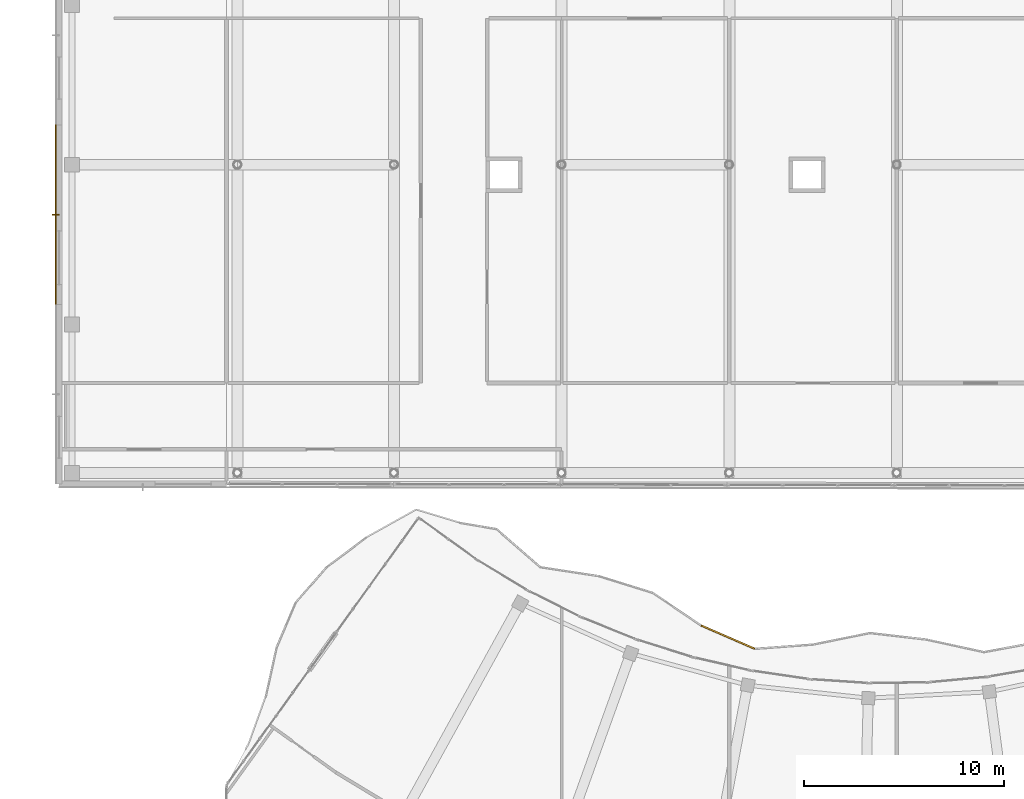
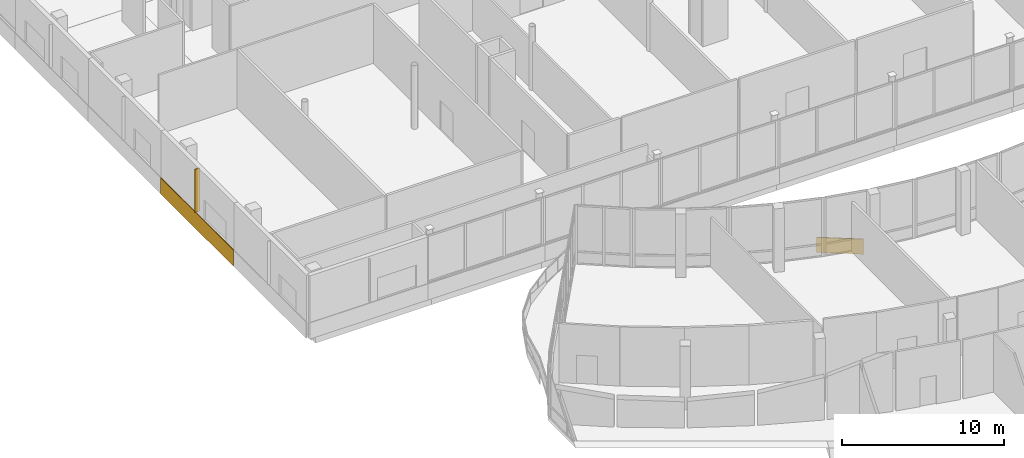
# One storey, part 145 of 155: 2 coverings, 1 shading device.
"""IFC4 building model written with IfcOpenShell, lengths in metres."""

from ifc_helpers import new_model, si_unit, direction, frame, origin, origin_2d, place, context, subcontext, project, spatial, polyline, rectangle, outline, extrude, material, layer, layer_set, type_object, element, save


model = new_model("IFC4")

# Units and contexts
model_context = context("Model", 3, precision=1e-05, world=origin(), true_north=direction((0.0, 1.0)))
body_context = subcontext(model_context, "Body", "Model", "MODEL_VIEW")
ifc_project = project(units=[si_unit("LENGTHUNIT", "METRE"), si_unit("AREAUNIT", "SQUARE_METRE"), si_unit("VOLUMEUNIT", "CUBIC_METRE"), si_unit("PLANEANGLEUNIT", "RADIAN"), si_unit("MASSUNIT", "GRAM", prefix="KILO")], contexts=[model_context])

# Site, building, storey
site_placement = place(None, origin())
site = spatial("IfcSite", under=ifc_project, at=site_placement, CompositionType="ELEMENT")
building_placement = place(site_placement, origin())
building = spatial("IfcBuilding", under=site, at=building_placement, Name="Selatvlak General Hospital", CompositionType="ELEMENT")
storey_placement = place(building_placement, frame((0.0, 0.0, 10.199951171875)))
storey = spatial("IfcBuildingStorey", under=building, at=storey_placement, Name="L02", CompositionType="ELEMENT", Elevation=10.199951171875)

# Coverings
ifc_material_1 = material(Name="PVDF aluminium fascia - signal green", Category="aluminium")
ifc_layer_1 = layer(ifc_material_1, 0.070068359375, Name="PVDF aluminium fascia - signal green", Category="aluminium")
ifc_layer_set_1 = layer_set([ifc_layer_1], Name="PVDF aluminium fascia - signal green")
covering_type_1 = type_object("IfcCoveringType", Name="COV-RB-GRN", PredefinedType="CLADDING", material=ifc_layer_set_1)
covering_1_placement = place(storey_placement, frame((49.26904296875, 43.743896484375, -1.178955078125), z_axis=(0.0, 0.0, 1.0), x_axis=(-0.916998218725, 0.398891297042, 0.0)))
element("IfcCovering", 1, at=covering_1_placement, inside=storey, type_object=covering_type_1, Name="L02 De Stijl waving fascia streamer 296", PredefinedType="CLADDING", context=body_context, shape_type="SweptSolid", body=[
    extrude(outline(polyline([(0.0, 0.0), (2.918212890625, 0.3720703125), (2.918212890625, 1.511962890625), (0.0, 1.139892578125), (0.0, 0.0)])), frame((0.0, 0.03515625, 0.0), z_axis=(0.0, -1.0, 0.0), x_axis=(1.0, 0.0, 0.0)), (0.0, 0.0, 1.0), 0.070068359375),
])
ifc_material_2 = material(Name="White Bauhaus fair-faced cladding panel")
ifc_layer_2 = layer(ifc_material_2, 0.054931640625, Name="White Bauhaus fair-faced cladding panel")
ifc_layer_set_2 = layer_set([ifc_layer_2], Name="White Bauhaus fair-faced cladding panel")
covering_type_2 = type_object("IfcCoveringType", Name="COV-WHT1", PredefinedType="CLADDING", material=ifc_layer_set_2)
covering_2_placement = place(storey_placement, frame((14.235107421875, 65.4990234375, -0.27978515625), z_axis=(0.0, 0.0, 1.0), x_axis=(0.0, 1.0, 0.0)))
element("IfcCovering", 2, at=covering_2_placement, inside=storey, type_object=covering_type_2, Name="L02 Bauhaus horizontal white spandrel band 0135", PredefinedType="CLADDING", context=body_context, shape_type="SweptSolid", body=[
    extrude(rectangle(XDim=8.9990234375, YDim=0.054931640625, at=origin_2d()), origin(), (0.0, 0.0, 1.0), 1.219970703125),
])

# Shading device
ifc_material_3 = material(Name="Anodised aluminium brise-soleil fin", Category="aluminium")
ifc_layer_3 = layer(ifc_material_3, 0.044921875, Name="Anodised aluminium brise-soleil fin", Category="aluminium")
ifc_layer_set_3 = layer_set([ifc_layer_3], Name="Anodised aluminium brise-soleil fin")
shading_device_type = type_object("IfcShadingDeviceType", Name="SHD-FIN1", PredefinedType="USERDEFINED", material=ifc_layer_set_3)
shading_device_placement = place(storey_placement, frame((14.22802734375, 65.4990234375, 1.10009765625), z_axis=(0.0, 0.0, 1.0), x_axis=(-1.0, 0.0, 0.0)))
element("IfcShadingDevice", 3, at=shading_device_placement, inside=storey, type_object=shading_device_type, Name="L02 monsoon vertical brise-soleil fin 284", ObjectType="SUNSHADE", PredefinedType="USERDEFINED", context=body_context, shape_type="SweptSolid", body=[
    extrude(rectangle(XDim=0.35009765625, YDim=0.044921875, at=origin_2d()), origin(), (0.0, 0.0, 1.0), 3.260009765625),
])

save(model, "model.ifc")
